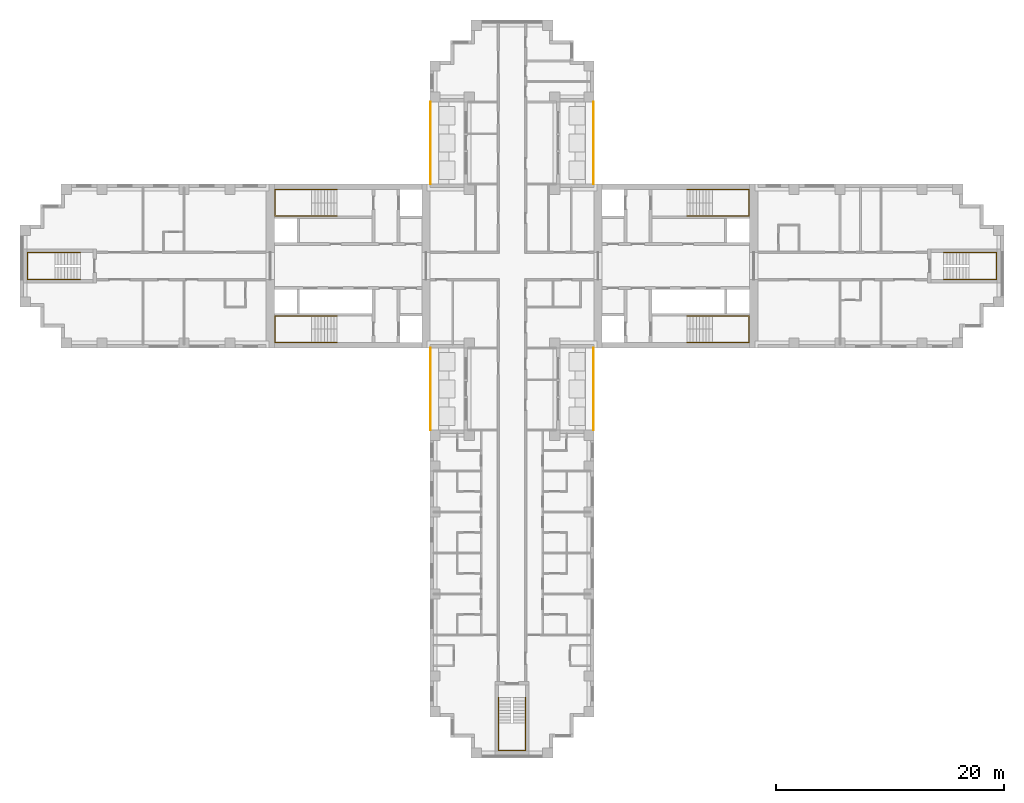
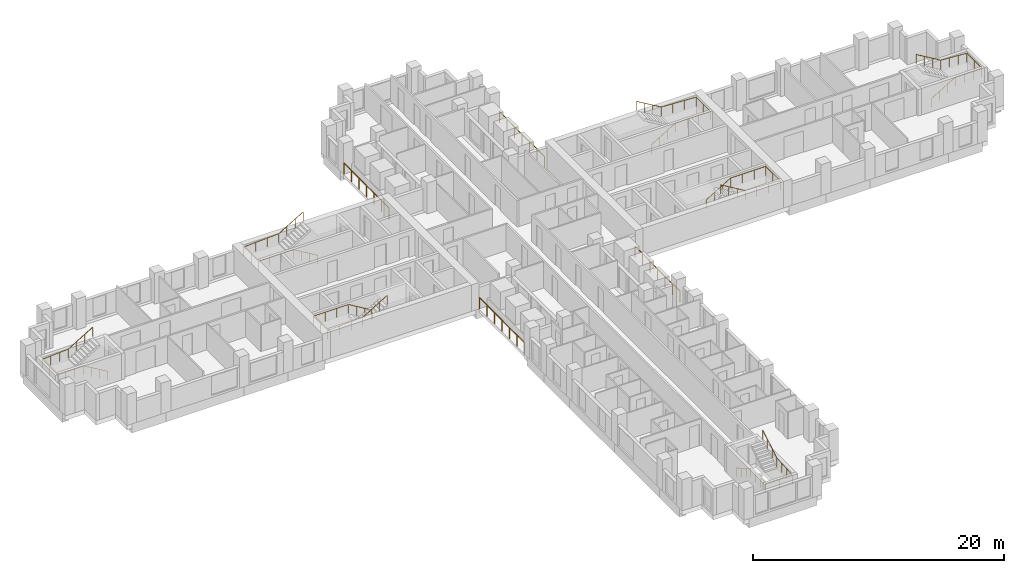
# One storey, part 13 of 14: 11 railings.
"""IFC4 building model written with IfcOpenShell, lengths in metres."""

from ifc_helpers import new_model, si_unit, direction, frame, origin, origin_2d, place, context, subcontext, project, spatial, circle, extrude, material, type_object, element, save


model = new_model("IFC4")

# Units and contexts
model_context = context("Model", 3, precision=1e-05, world=origin(), true_north=direction((0.0, 1.0)))
body_context = subcontext(model_context, "Body", "Model", "MODEL_VIEW")
ifc_project = project(units=[si_unit("LENGTHUNIT", "METRE"), si_unit("AREAUNIT", "SQUARE_METRE"), si_unit("VOLUMEUNIT", "CUBIC_METRE"), si_unit("PLANEANGLEUNIT", "RADIAN"), si_unit("MASSUNIT", "GRAM", prefix="KILO")], contexts=[model_context])

# Site, building, storey
site_placement = place(None, origin())
site = spatial("IfcSite", under=ifc_project, at=site_placement, CompositionType="ELEMENT")
building_placement = place(site_placement, origin())
building = spatial("IfcBuilding", under=site, at=building_placement, Name="Fustian Cross Tower", CompositionType="ELEMENT")
storey_placement = place(building_placement, frame((0.0, 0.0, 96.89990234375)))
storey = spatial("IfcBuildingStorey", under=building, at=storey_placement, Name="L30", CompositionType="ELEMENT", Elevation=96.89990234375)

# Railings
ifc_material_1 = material(Name="Stainless steel and glass", Category="steel")
railing_type_1 = type_object("IfcRailingType", Name="GR1 BALCONY GUARD 1100", PredefinedType="GUARDRAIL", material=ifc_material_1)
for number, where, name in (
    (1, (7.14990234375, 7.199951171875, 0.0), "Balcony guard"),
    (2, (-7.14990234375, 7.199951171875, 0.0), "Balcony guard"),
    (3, (7.14990234375, -14.39990234375, 0.0), "Balcony guard"),
    (4, (-7.14990234375, -14.39990234375, 0.0), "Balcony guard"),
):
    element("IfcRailing", number, at=place(storey_placement, frame(where)), inside=storey, type_object=railing_type_1, Name=name, PredefinedType="GUARDRAIL", context=body_context, shape_type="SweptSolid", body=[
        extrude(circle(Radius=0.02392578125, at=origin_2d()), frame((0.0, 0.0, 1.076171875), z_axis=(0.0, 1.0, 0.0), x_axis=(-1.0, 0.0, 0.0)), (0.0, 0.0, 1.0), 7.199951171875),
        extrude(circle(Radius=0.02099609375, at=origin_2d()), origin(), (0.0, 0.0, 1.0), 1.052001953125),
        extrude(circle(Radius=0.02099609375, at=origin_2d()), frame((0.0, 1.199951171875, 0.0)), (0.0, 0.0, 1.0), 1.052001953125),
        extrude(circle(Radius=0.02099609375, at=origin_2d()), frame((0.0, 2.39990234375, 0.0)), (0.0, 0.0, 1.0), 1.052001953125),
        extrude(circle(Radius=0.02099609375, at=origin_2d()), frame((0.0, 3.60009765625, 0.0)), (0.0, 0.0, 1.0), 1.052001953125),
        extrude(circle(Radius=0.02099609375, at=origin_2d()), frame((0.0, 4.800048828125, 0.0)), (0.0, 0.0, 1.0), 1.052001953125),
        extrude(circle(Radius=0.02099609375, at=origin_2d()), frame((0.0, 6.0, 0.0)), (0.0, 0.0, 1.0), 1.052001953125),
        extrude(circle(Radius=0.02099609375, at=origin_2d()), frame((0.0, 7.199951171875, 0.0)), (0.0, 0.0, 1.0), 1.052001953125),
    ])
ifc_material_2 = material(Name="Stainless steel", Category="steel")
railing_type_2 = type_object("IfcRailingType", Name="STAIR HANDRAIL", PredefinedType="HANDRAIL", material=ifc_material_2)
railing_1_placement = place(storey_placement, frame((15.35009765625, 4.39990234375, 0.166748046875)))
element("IfcRailing", 5, at=railing_1_placement, inside=storey, type_object=railing_type_2, Name="Stair ST1 handrail 1", PredefinedType="HANDRAIL", context=body_context, shape_type="SweptSolid", body=[
    extrude(circle(Radius=0.02490234375, at=origin_2d()), frame((0.0, 0.0, 0.875), z_axis=(0.859305625298, 0.0, 0.511462454469), x_axis=(0.0, 1.0, 0.0)), (0.0, 0.0, 1.0), 2.606689453125),
    extrude(circle(Radius=0.02490234375, at=origin_2d()), frame((2.239990234375, 0.0, 2.2080078125), z_axis=(1.0, 0.0, 0.0), x_axis=(0.0, 1.0, 0.0)), (0.0, 0.0, 1.0), 3.219970703125),
    extrude(circle(Radius=0.02490234375, at=origin_2d()), frame((5.4599609375, 0.0, 2.2080078125), z_axis=(0.0, 1.0, 0.0), x_axis=(-1.0, 0.0, 0.0)), (0.0, 0.0, 1.0), 2.300048828125),
    extrude(circle(Radius=0.02490234375, at=origin_2d()), frame((5.4599609375, 2.300048828125, 2.2080078125), z_axis=(-0.998661817807, 0.0, 0.051716280352), x_axis=(0.0, -1.0, 0.0)), (0.0, 0.0, 1.0), 3.224365234375),
    extrude(circle(Radius=0.02490234375, at=origin_2d()), frame((2.239990234375, 2.300048828125, 2.375), z_axis=(-0.859305625298, 0.0, 0.511462454469), x_axis=(0.0, -1.0, 0.0)), (0.0, 0.0, 1.0), 2.606689453125),
    extrude(circle(Radius=0.02001953125, at=origin_2d()), origin(), (0.0, 0.0, 1.0), 0.849853515625),
    extrude(circle(Radius=0.02001953125, at=origin_2d()), frame((0.74658203125, 0.0, 0.4443359375)), (0.0, 0.0, 1.0), 0.849853515625),
    extrude(circle(Radius=0.02001953125, at=origin_2d()), frame((1.493408203125, 0.0, 0.888916015625)), (0.0, 0.0, 1.0), 0.849853515625),
    extrude(circle(Radius=0.02001953125, at=origin_2d()), frame((2.239990234375, 0.0, 1.333251953125)), (0.0, 0.0, 1.0), 0.849853515625),
    extrude(circle(Radius=0.02001953125, at=origin_2d()), frame((3.313232421875, 0.0, 1.333251953125)), (0.0, 0.0, 1.0), 0.849853515625),
    extrude(circle(Radius=0.02001953125, at=origin_2d()), frame((4.38671875, 0.0, 1.333251953125)), (0.0, 0.0, 1.0), 0.849853515625),
    extrude(circle(Radius=0.02001953125, at=origin_2d()), frame((5.4599609375, 0.0, 1.333251953125)), (0.0, 0.0, 1.0), 0.849853515625),
    extrude(circle(Radius=0.02001953125, at=origin_2d()), frame((5.4599609375, 1.14990234375, 1.333251953125)), (0.0, 0.0, 1.0), 0.849853515625),
    extrude(circle(Radius=0.02001953125, at=origin_2d()), frame((5.4599609375, 2.300048828125, 1.333251953125)), (0.0, 0.0, 1.0), 0.849853515625),
    extrude(circle(Radius=0.02001953125, at=origin_2d()), frame((4.38671875, 2.300048828125, 1.388916015625)), (0.0, 0.0, 1.0), 0.849853515625),
    extrude(circle(Radius=0.02001953125, at=origin_2d()), frame((3.313232421875, 2.300048828125, 1.4443359375)), (0.0, 0.0, 1.0), 0.849853515625),
    extrude(circle(Radius=0.02001953125, at=origin_2d()), frame((2.239990234375, 2.300048828125, 1.5)), (0.0, 0.0, 1.0), 0.849853515625),
    extrude(circle(Radius=0.02001953125, at=origin_2d()), frame((1.493408203125, 2.300048828125, 1.9443359375)), (0.0, 0.0, 1.0), 0.849853515625),
    extrude(circle(Radius=0.02001953125, at=origin_2d()), frame((0.74658203125, 2.300048828125, 2.388916015625)), (0.0, 0.0, 1.0), 0.849853515625),
    extrude(circle(Radius=0.02001953125, at=origin_2d()), frame((0.0, 2.300048828125, 2.833251953125)), (0.0, 0.0, 1.0), 0.849853515625),
])
railing_2_placement = place(storey_placement, frame((15.35009765625, -4.39990234375, 0.166748046875)))
element("IfcRailing", 6, at=railing_2_placement, inside=storey, type_object=railing_type_2, Name="Stair ST2 handrail 1", PredefinedType="HANDRAIL", context=body_context, shape_type="SweptSolid", body=[
    extrude(circle(Radius=0.02490234375, at=origin_2d()), frame((0.0, 0.0, 0.875), z_axis=(0.859305625298, 0.0, 0.511462454469), x_axis=(0.0, 1.0, 0.0)), (0.0, 0.0, 1.0), 2.606689453125),
    extrude(circle(Radius=0.02490234375, at=origin_2d()), frame((2.239990234375, 0.0, 2.2080078125), z_axis=(1.0, 0.0, 0.0), x_axis=(0.0, 1.0, 0.0)), (0.0, 0.0, 1.0), 3.219970703125),
    extrude(circle(Radius=0.02490234375, at=origin_2d()), frame((5.4599609375, 0.0, 2.2080078125), z_axis=(0.0, -1.0, 0.0), x_axis=(1.0, 0.0, 0.0)), (0.0, 0.0, 1.0), 2.300048828125),
    extrude(circle(Radius=0.02490234375, at=origin_2d()), frame((5.4599609375, -2.300048828125, 2.2080078125), z_axis=(-0.998661817807, 0.0, 0.051716280352), x_axis=(0.0, -1.0, 0.0)), (0.0, 0.0, 1.0), 3.224365234375),
    extrude(circle(Radius=0.02490234375, at=origin_2d()), frame((2.239990234375, -2.300048828125, 2.375), z_axis=(-0.859305625298, 0.0, 0.511462454469), x_axis=(0.0, -1.0, 0.0)), (0.0, 0.0, 1.0), 2.606689453125),
    extrude(circle(Radius=0.02001953125, at=origin_2d()), origin(), (0.0, 0.0, 1.0), 0.849853515625),
    extrude(circle(Radius=0.02001953125, at=origin_2d()), frame((0.74658203125, 0.0, 0.4443359375)), (0.0, 0.0, 1.0), 0.849853515625),
    extrude(circle(Radius=0.02001953125, at=origin_2d()), frame((1.493408203125, 0.0, 0.888916015625)), (0.0, 0.0, 1.0), 0.849853515625),
    extrude(circle(Radius=0.02001953125, at=origin_2d()), frame((2.239990234375, 0.0, 1.333251953125)), (0.0, 0.0, 1.0), 0.849853515625),
    extrude(circle(Radius=0.02001953125, at=origin_2d()), frame((3.313232421875, 0.0, 1.333251953125)), (0.0, 0.0, 1.0), 0.849853515625),
    extrude(circle(Radius=0.02001953125, at=origin_2d()), frame((4.38671875, 0.0, 1.333251953125)), (0.0, 0.0, 1.0), 0.849853515625),
    extrude(circle(Radius=0.02001953125, at=origin_2d()), frame((5.4599609375, 0.0, 1.333251953125)), (0.0, 0.0, 1.0), 0.849853515625),
    extrude(circle(Radius=0.02001953125, at=origin_2d()), frame((5.4599609375, -1.14990234375, 1.333251953125)), (0.0, 0.0, 1.0), 0.849853515625),
    extrude(circle(Radius=0.02001953125, at=origin_2d()), frame((5.4599609375, -2.300048828125, 1.333251953125)), (0.0, 0.0, 1.0), 0.849853515625),
    extrude(circle(Radius=0.02001953125, at=origin_2d()), frame((4.38671875, -2.300048828125, 1.388916015625)), (0.0, 0.0, 1.0), 0.849853515625),
    extrude(circle(Radius=0.02001953125, at=origin_2d()), frame((3.313232421875, -2.300048828125, 1.4443359375)), (0.0, 0.0, 1.0), 0.849853515625),
    extrude(circle(Radius=0.02001953125, at=origin_2d()), frame((2.239990234375, -2.300048828125, 1.5)), (0.0, 0.0, 1.0), 0.849853515625),
    extrude(circle(Radius=0.02001953125, at=origin_2d()), frame((1.493408203125, -2.300048828125, 1.9443359375)), (0.0, 0.0, 1.0), 0.849853515625),
    extrude(circle(Radius=0.02001953125, at=origin_2d()), frame((0.74658203125, -2.300048828125, 2.388916015625)), (0.0, 0.0, 1.0), 0.849853515625),
    extrude(circle(Radius=0.02001953125, at=origin_2d()), frame((0.0, -2.300048828125, 2.833251953125)), (0.0, 0.0, 1.0), 0.849853515625),
])
railing_3_placement = place(storey_placement, frame((-15.35009765625, 4.39990234375, 0.166748046875)))
element("IfcRailing", 7, at=railing_3_placement, inside=storey, type_object=railing_type_2, Name="Stair ST3 handrail 1", PredefinedType="HANDRAIL", context=body_context, shape_type="SweptSolid", body=[
    extrude(circle(Radius=0.02490234375, at=origin_2d()), frame((0.0, 0.0, 0.875), z_axis=(-0.859305625298, 0.0, 0.511462454469), x_axis=(0.0, -1.0, 0.0)), (0.0, 0.0, 1.0), 2.606689453125),
    extrude(circle(Radius=0.02490234375, at=origin_2d()), frame((-2.239990234375, 0.0, 2.2080078125), z_axis=(-1.0, 0.0, 0.0), x_axis=(0.0, -1.0, 0.0)), (0.0, 0.0, 1.0), 3.219970703125),
    extrude(circle(Radius=0.02490234375, at=origin_2d()), frame((-5.4599609375, 0.0, 2.2080078125), z_axis=(0.0, 1.0, 0.0), x_axis=(-1.0, 0.0, 0.0)), (0.0, 0.0, 1.0), 2.300048828125),
    extrude(circle(Radius=0.02490234375, at=origin_2d()), frame((-5.4599609375, 2.300048828125, 2.2080078125), z_axis=(0.998661817807, 0.0, 0.051716280352), x_axis=(0.0, 1.0, 0.0)), (0.0, 0.0, 1.0), 3.224365234375),
    extrude(circle(Radius=0.02490234375, at=origin_2d()), frame((-2.239990234375, 2.300048828125, 2.375), z_axis=(0.859305625298, 0.0, 0.511462454469), x_axis=(0.0, 1.0, 0.0)), (0.0, 0.0, 1.0), 2.606689453125),
    extrude(circle(Radius=0.02001953125, at=origin_2d()), origin(), (0.0, 0.0, 1.0), 0.849853515625),
    extrude(circle(Radius=0.02001953125, at=origin_2d()), frame((-0.74658203125, 0.0, 0.4443359375)), (0.0, 0.0, 1.0), 0.849853515625),
    extrude(circle(Radius=0.02001953125, at=origin_2d()), frame((-1.493408203125, 0.0, 0.888916015625)), (0.0, 0.0, 1.0), 0.849853515625),
    extrude(circle(Radius=0.02001953125, at=origin_2d()), frame((-2.239990234375, 0.0, 1.333251953125)), (0.0, 0.0, 1.0), 0.849853515625),
    extrude(circle(Radius=0.02001953125, at=origin_2d()), frame((-3.313232421875, 0.0, 1.333251953125)), (0.0, 0.0, 1.0), 0.849853515625),
    extrude(circle(Radius=0.02001953125, at=origin_2d()), frame((-4.38671875, 0.0, 1.333251953125)), (0.0, 0.0, 1.0), 0.849853515625),
    extrude(circle(Radius=0.02001953125, at=origin_2d()), frame((-5.4599609375, 0.0, 1.333251953125)), (0.0, 0.0, 1.0), 0.849853515625),
    extrude(circle(Radius=0.02001953125, at=origin_2d()), frame((-5.4599609375, 1.14990234375, 1.333251953125)), (0.0, 0.0, 1.0), 0.849853515625),
    extrude(circle(Radius=0.02001953125, at=origin_2d()), frame((-5.4599609375, 2.300048828125, 1.333251953125)), (0.0, 0.0, 1.0), 0.849853515625),
    extrude(circle(Radius=0.02001953125, at=origin_2d()), frame((-4.38671875, 2.300048828125, 1.388916015625)), (0.0, 0.0, 1.0), 0.849853515625),
    extrude(circle(Radius=0.02001953125, at=origin_2d()), frame((-3.313232421875, 2.300048828125, 1.4443359375)), (0.0, 0.0, 1.0), 0.849853515625),
    extrude(circle(Radius=0.02001953125, at=origin_2d()), frame((-2.239990234375, 2.300048828125, 1.5)), (0.0, 0.0, 1.0), 0.849853515625),
    extrude(circle(Radius=0.02001953125, at=origin_2d()), frame((-1.493408203125, 2.300048828125, 1.9443359375)), (0.0, 0.0, 1.0), 0.849853515625),
    extrude(circle(Radius=0.02001953125, at=origin_2d()), frame((-0.74658203125, 2.300048828125, 2.388916015625)), (0.0, 0.0, 1.0), 0.849853515625),
    extrude(circle(Radius=0.02001953125, at=origin_2d()), frame((0.0, 2.300048828125, 2.833251953125)), (0.0, 0.0, 1.0), 0.849853515625),
])
railing_4_placement = place(storey_placement, frame((-15.35009765625, -4.39990234375, 0.166748046875)))
element("IfcRailing", 8, at=railing_4_placement, inside=storey, type_object=railing_type_2, Name="Stair ST4 handrail 1", PredefinedType="HANDRAIL", context=body_context, shape_type="SweptSolid", body=[
    extrude(circle(Radius=0.02490234375, at=origin_2d()), frame((0.0, 0.0, 0.875), z_axis=(-0.859305625298, 0.0, 0.511462454469), x_axis=(0.0, -1.0, 0.0)), (0.0, 0.0, 1.0), 2.606689453125),
    extrude(circle(Radius=0.02490234375, at=origin_2d()), frame((-2.239990234375, 0.0, 2.2080078125), z_axis=(-1.0, 0.0, 0.0), x_axis=(0.0, -1.0, 0.0)), (0.0, 0.0, 1.0), 3.219970703125),
    extrude(circle(Radius=0.02490234375, at=origin_2d()), frame((-5.4599609375, 0.0, 2.2080078125), z_axis=(0.0, -1.0, 0.0), x_axis=(1.0, 0.0, 0.0)), (0.0, 0.0, 1.0), 2.300048828125),
    extrude(circle(Radius=0.02490234375, at=origin_2d()), frame((-5.4599609375, -2.300048828125, 2.2080078125), z_axis=(0.998661817807, 0.0, 0.051716280352), x_axis=(0.0, 1.0, 0.0)), (0.0, 0.0, 1.0), 3.224365234375),
    extrude(circle(Radius=0.02490234375, at=origin_2d()), frame((-2.239990234375, -2.300048828125, 2.375), z_axis=(0.859305625298, 0.0, 0.511462454469), x_axis=(0.0, 1.0, 0.0)), (0.0, 0.0, 1.0), 2.606689453125),
    extrude(circle(Radius=0.02001953125, at=origin_2d()), origin(), (0.0, 0.0, 1.0), 0.849853515625),
    extrude(circle(Radius=0.02001953125, at=origin_2d()), frame((-0.74658203125, 0.0, 0.4443359375)), (0.0, 0.0, 1.0), 0.849853515625),
    extrude(circle(Radius=0.02001953125, at=origin_2d()), frame((-1.493408203125, 0.0, 0.888916015625)), (0.0, 0.0, 1.0), 0.849853515625),
    extrude(circle(Radius=0.02001953125, at=origin_2d()), frame((-2.239990234375, 0.0, 1.333251953125)), (0.0, 0.0, 1.0), 0.849853515625),
    extrude(circle(Radius=0.02001953125, at=origin_2d()), frame((-3.313232421875, 0.0, 1.333251953125)), (0.0, 0.0, 1.0), 0.849853515625),
    extrude(circle(Radius=0.02001953125, at=origin_2d()), frame((-4.38671875, 0.0, 1.333251953125)), (0.0, 0.0, 1.0), 0.849853515625),
    extrude(circle(Radius=0.02001953125, at=origin_2d()), frame((-5.4599609375, 0.0, 1.333251953125)), (0.0, 0.0, 1.0), 0.849853515625),
    extrude(circle(Radius=0.02001953125, at=origin_2d()), frame((-5.4599609375, -1.14990234375, 1.333251953125)), (0.0, 0.0, 1.0), 0.849853515625),
    extrude(circle(Radius=0.02001953125, at=origin_2d()), frame((-5.4599609375, -2.300048828125, 1.333251953125)), (0.0, 0.0, 1.0), 0.849853515625),
    extrude(circle(Radius=0.02001953125, at=origin_2d()), frame((-4.38671875, -2.300048828125, 1.388916015625)), (0.0, 0.0, 1.0), 0.849853515625),
    extrude(circle(Radius=0.02001953125, at=origin_2d()), frame((-3.313232421875, -2.300048828125, 1.4443359375)), (0.0, 0.0, 1.0), 0.849853515625),
    extrude(circle(Radius=0.02001953125, at=origin_2d()), frame((-2.239990234375, -2.300048828125, 1.5)), (0.0, 0.0, 1.0), 0.849853515625),
    extrude(circle(Radius=0.02001953125, at=origin_2d()), frame((-1.493408203125, -2.300048828125, 1.9443359375)), (0.0, 0.0, 1.0), 0.849853515625),
    extrude(circle(Radius=0.02001953125, at=origin_2d()), frame((-0.74658203125, -2.300048828125, 2.388916015625)), (0.0, 0.0, 1.0), 0.849853515625),
    extrude(circle(Radius=0.02001953125, at=origin_2d()), frame((0.0, -2.300048828125, 2.833251953125)), (0.0, 0.0, 1.0), 0.849853515625),
])
railing_5_placement = place(storey_placement, frame((-1.199951171875, -37.89990234375, 0.166748046875)))
element("IfcRailing", 9, at=railing_5_placement, inside=storey, type_object=railing_type_2, Name="Stair ST6 handrail 1", PredefinedType="HANDRAIL", context=body_context, shape_type="SweptSolid", body=[
    extrude(circle(Radius=0.02490234375, at=origin_2d()), frame((0.0, 0.0, 0.875), z_axis=(0.0, -0.859305625298, 0.511462454469), x_axis=(1.0, 0.0, 0.0)), (0.0, 0.0, 1.0), 2.606689453125),
    extrude(circle(Radius=0.02490234375, at=origin_2d()), frame((0.0, -2.239990234375, 2.2080078125), z_axis=(0.0, -1.0, 0.0), x_axis=(1.0, 0.0, 0.0)), (0.0, 0.0, 1.0), 2.420166015625),
    extrude(circle(Radius=0.02490234375, at=origin_2d()), frame((0.0, -4.66015625, 2.2080078125), z_axis=(1.0, 0.0, 0.0), x_axis=(0.0, 1.0, 0.0)), (0.0, 0.0, 1.0), 2.39990234375),
    extrude(circle(Radius=0.02490234375, at=origin_2d()), frame((2.39990234375, -4.66015625, 2.2080078125), z_axis=(0.0, 0.997634852044, 0.068736467663), x_axis=(-1.0, 0.0, 0.0)), (0.0, 0.0, 1.0), 2.426025390625),
    extrude(circle(Radius=0.02490234375, at=origin_2d()), frame((2.39990234375, -2.239990234375, 2.375), z_axis=(0.0, 0.859305625298, 0.511462454469), x_axis=(-1.0, 0.0, 0.0)), (0.0, 0.0, 1.0), 2.606689453125),
    extrude(circle(Radius=0.02001953125, at=origin_2d()), origin(), (0.0, 0.0, 1.0), 0.849853515625),
    extrude(circle(Radius=0.02001953125, at=origin_2d()), frame((0.0, -0.74658203125, 0.4443359375)), (0.0, 0.0, 1.0), 0.849853515625),
    extrude(circle(Radius=0.02001953125, at=origin_2d()), frame((0.0, -1.493408203125, 0.888916015625)), (0.0, 0.0, 1.0), 0.849853515625),
    extrude(circle(Radius=0.02001953125, at=origin_2d()), frame((0.0, -2.239990234375, 1.333251953125)), (0.0, 0.0, 1.0), 0.849853515625),
    extrude(circle(Radius=0.02001953125, at=origin_2d()), frame((0.0, -3.046630859375, 1.333251953125)), (0.0, 0.0, 1.0), 0.849853515625),
    extrude(circle(Radius=0.02001953125, at=origin_2d()), frame((0.0, -3.853515625, 1.333251953125)), (0.0, 0.0, 1.0), 0.849853515625),
    extrude(circle(Radius=0.02001953125, at=origin_2d()), frame((0.0, -4.66015625, 1.333251953125)), (0.0, 0.0, 1.0), 0.849853515625),
    extrude(circle(Radius=0.02001953125, at=origin_2d()), frame((1.199951171875, -4.66015625, 1.333251953125)), (0.0, 0.0, 1.0), 0.849853515625),
    extrude(circle(Radius=0.02001953125, at=origin_2d()), frame((2.39990234375, -4.66015625, 1.333251953125)), (0.0, 0.0, 1.0), 0.849853515625),
    extrude(circle(Radius=0.02001953125, at=origin_2d()), frame((2.39990234375, -3.853515625, 1.388916015625)), (0.0, 0.0, 1.0), 0.849853515625),
    extrude(circle(Radius=0.02001953125, at=origin_2d()), frame((2.39990234375, -3.046630859375, 1.4443359375)), (0.0, 0.0, 1.0), 0.849853515625),
    extrude(circle(Radius=0.02001953125, at=origin_2d()), frame((2.39990234375, -2.239990234375, 1.5)), (0.0, 0.0, 1.0), 0.849853515625),
    extrude(circle(Radius=0.02001953125, at=origin_2d()), frame((2.39990234375, -1.493408203125, 1.9443359375)), (0.0, 0.0, 1.0), 0.849853515625),
    extrude(circle(Radius=0.02001953125, at=origin_2d()), frame((2.39990234375, -0.74658203125, 2.388916015625)), (0.0, 0.0, 1.0), 0.849853515625),
    extrude(circle(Radius=0.02001953125, at=origin_2d()), frame((2.39990234375, 0.0, 2.833251953125)), (0.0, 0.0, 1.0), 0.849853515625),
])
railing_6_placement = place(storey_placement, frame((37.89990234375, -1.199951171875, 0.166748046875)))
element("IfcRailing", 10, at=railing_6_placement, inside=storey, type_object=railing_type_2, Name="Stair ST8 handrail 1", PredefinedType="HANDRAIL", context=body_context, shape_type="SweptSolid", body=[
    extrude(circle(Radius=0.02490234375, at=origin_2d()), frame((0.0, 0.0, 0.875), z_axis=(0.859305625298, 0.0, 0.511462454469), x_axis=(0.0, 1.0, 0.0)), (0.0, 0.0, 1.0), 2.606689453125),
    extrude(circle(Radius=0.02490234375, at=origin_2d()), frame((2.239990234375, 0.0, 2.2080078125), z_axis=(1.0, 0.0, 0.0), x_axis=(0.0, 1.0, 0.0)), (0.0, 0.0, 1.0), 2.420166015625),
    extrude(circle(Radius=0.02490234375, at=origin_2d()), frame((4.66015625, 0.0, 2.2080078125), z_axis=(0.0, 1.0, 0.0), x_axis=(-1.0, 0.0, 0.0)), (0.0, 0.0, 1.0), 2.39990234375),
    extrude(circle(Radius=0.02490234375, at=origin_2d()), frame((4.66015625, 2.39990234375, 2.2080078125), z_axis=(-0.997634852044, 0.0, 0.068736467663), x_axis=(0.0, -1.0, 0.0)), (0.0, 0.0, 1.0), 2.426025390625),
    extrude(circle(Radius=0.02490234375, at=origin_2d()), frame((2.239990234375, 2.39990234375, 2.375), z_axis=(-0.859305625298, 0.0, 0.511462454469), x_axis=(0.0, -1.0, 0.0)), (0.0, 0.0, 1.0), 2.606689453125),
    extrude(circle(Radius=0.02001953125, at=origin_2d()), origin(), (0.0, 0.0, 1.0), 0.849853515625),
    extrude(circle(Radius=0.02001953125, at=origin_2d()), frame((0.74658203125, 0.0, 0.4443359375)), (0.0, 0.0, 1.0), 0.849853515625),
    extrude(circle(Radius=0.02001953125, at=origin_2d()), frame((1.493408203125, 0.0, 0.888916015625)), (0.0, 0.0, 1.0), 0.849853515625),
    extrude(circle(Radius=0.02001953125, at=origin_2d()), frame((2.239990234375, 0.0, 1.333251953125)), (0.0, 0.0, 1.0), 0.849853515625),
    extrude(circle(Radius=0.02001953125, at=origin_2d()), frame((3.046630859375, 0.0, 1.333251953125)), (0.0, 0.0, 1.0), 0.849853515625),
    extrude(circle(Radius=0.02001953125, at=origin_2d()), frame((3.853515625, 0.0, 1.333251953125)), (0.0, 0.0, 1.0), 0.849853515625),
    extrude(circle(Radius=0.02001953125, at=origin_2d()), frame((4.66015625, 0.0, 1.333251953125)), (0.0, 0.0, 1.0), 0.849853515625),
    extrude(circle(Radius=0.02001953125, at=origin_2d()), frame((4.66015625, 1.199951171875, 1.333251953125)), (0.0, 0.0, 1.0), 0.849853515625),
    extrude(circle(Radius=0.02001953125, at=origin_2d()), frame((4.66015625, 2.39990234375, 1.333251953125)), (0.0, 0.0, 1.0), 0.849853515625),
    extrude(circle(Radius=0.02001953125, at=origin_2d()), frame((3.853515625, 2.39990234375, 1.388916015625)), (0.0, 0.0, 1.0), 0.849853515625),
    extrude(circle(Radius=0.02001953125, at=origin_2d()), frame((3.046630859375, 2.39990234375, 1.4443359375)), (0.0, 0.0, 1.0), 0.849853515625),
    extrude(circle(Radius=0.02001953125, at=origin_2d()), frame((2.239990234375, 2.39990234375, 1.5)), (0.0, 0.0, 1.0), 0.849853515625),
    extrude(circle(Radius=0.02001953125, at=origin_2d()), frame((1.493408203125, 2.39990234375, 1.9443359375)), (0.0, 0.0, 1.0), 0.849853515625),
    extrude(circle(Radius=0.02001953125, at=origin_2d()), frame((0.74658203125, 2.39990234375, 2.388916015625)), (0.0, 0.0, 1.0), 0.849853515625),
    extrude(circle(Radius=0.02001953125, at=origin_2d()), frame((0.0, 2.39990234375, 2.833251953125)), (0.0, 0.0, 1.0), 0.849853515625),
])
railing_7_placement = place(storey_placement, frame((-37.89990234375, -1.199951171875, 0.166748046875)))
element("IfcRailing", 11, at=railing_7_placement, inside=storey, type_object=railing_type_2, Name="Stair ST9 handrail 1", PredefinedType="HANDRAIL", context=body_context, shape_type="SweptSolid", body=[
    extrude(circle(Radius=0.02490234375, at=origin_2d()), frame((0.0, 0.0, 0.875), z_axis=(-0.859305625298, 0.0, 0.511462454469), x_axis=(0.0, -1.0, 0.0)), (0.0, 0.0, 1.0), 2.606689453125),
    extrude(circle(Radius=0.02490234375, at=origin_2d()), frame((-2.239990234375, 0.0, 2.2080078125), z_axis=(-1.0, 0.0, 0.0), x_axis=(0.0, -1.0, 0.0)), (0.0, 0.0, 1.0), 2.420166015625),
    extrude(circle(Radius=0.02490234375, at=origin_2d()), frame((-4.66015625, 0.0, 2.2080078125), z_axis=(0.0, 1.0, 0.0), x_axis=(-1.0, 0.0, 0.0)), (0.0, 0.0, 1.0), 2.39990234375),
    extrude(circle(Radius=0.02490234375, at=origin_2d()), frame((-4.66015625, 2.39990234375, 2.2080078125), z_axis=(0.997634852044, 0.0, 0.068736467663), x_axis=(0.0, 1.0, 0.0)), (0.0, 0.0, 1.0), 2.426025390625),
    extrude(circle(Radius=0.02490234375, at=origin_2d()), frame((-2.239990234375, 2.39990234375, 2.375), z_axis=(0.859305625298, 0.0, 0.511462454469), x_axis=(0.0, 1.0, 0.0)), (0.0, 0.0, 1.0), 2.606689453125),
    extrude(circle(Radius=0.02001953125, at=origin_2d()), origin(), (0.0, 0.0, 1.0), 0.849853515625),
    extrude(circle(Radius=0.02001953125, at=origin_2d()), frame((-0.74658203125, 0.0, 0.4443359375)), (0.0, 0.0, 1.0), 0.849853515625),
    extrude(circle(Radius=0.02001953125, at=origin_2d()), frame((-1.493408203125, 0.0, 0.888916015625)), (0.0, 0.0, 1.0), 0.849853515625),
    extrude(circle(Radius=0.02001953125, at=origin_2d()), frame((-2.239990234375, 0.0, 1.333251953125)), (0.0, 0.0, 1.0), 0.849853515625),
    extrude(circle(Radius=0.02001953125, at=origin_2d()), frame((-3.046630859375, 0.0, 1.333251953125)), (0.0, 0.0, 1.0), 0.849853515625),
    extrude(circle(Radius=0.02001953125, at=origin_2d()), frame((-3.853515625, 0.0, 1.333251953125)), (0.0, 0.0, 1.0), 0.849853515625),
    extrude(circle(Radius=0.02001953125, at=origin_2d()), frame((-4.66015625, 0.0, 1.333251953125)), (0.0, 0.0, 1.0), 0.849853515625),
    extrude(circle(Radius=0.02001953125, at=origin_2d()), frame((-4.66015625, 1.199951171875, 1.333251953125)), (0.0, 0.0, 1.0), 0.849853515625),
    extrude(circle(Radius=0.02001953125, at=origin_2d()), frame((-4.66015625, 2.39990234375, 1.333251953125)), (0.0, 0.0, 1.0), 0.849853515625),
    extrude(circle(Radius=0.02001953125, at=origin_2d()), frame((-3.853515625, 2.39990234375, 1.388916015625)), (0.0, 0.0, 1.0), 0.849853515625),
    extrude(circle(Radius=0.02001953125, at=origin_2d()), frame((-3.046630859375, 2.39990234375, 1.4443359375)), (0.0, 0.0, 1.0), 0.849853515625),
    extrude(circle(Radius=0.02001953125, at=origin_2d()), frame((-2.239990234375, 2.39990234375, 1.5)), (0.0, 0.0, 1.0), 0.849853515625),
    extrude(circle(Radius=0.02001953125, at=origin_2d()), frame((-1.493408203125, 2.39990234375, 1.9443359375)), (0.0, 0.0, 1.0), 0.849853515625),
    extrude(circle(Radius=0.02001953125, at=origin_2d()), frame((-0.74658203125, 2.39990234375, 2.388916015625)), (0.0, 0.0, 1.0), 0.849853515625),
    extrude(circle(Radius=0.02001953125, at=origin_2d()), frame((0.0, 2.39990234375, 2.833251953125)), (0.0, 0.0, 1.0), 0.849853515625),
])

save(model, "model.ifc")
